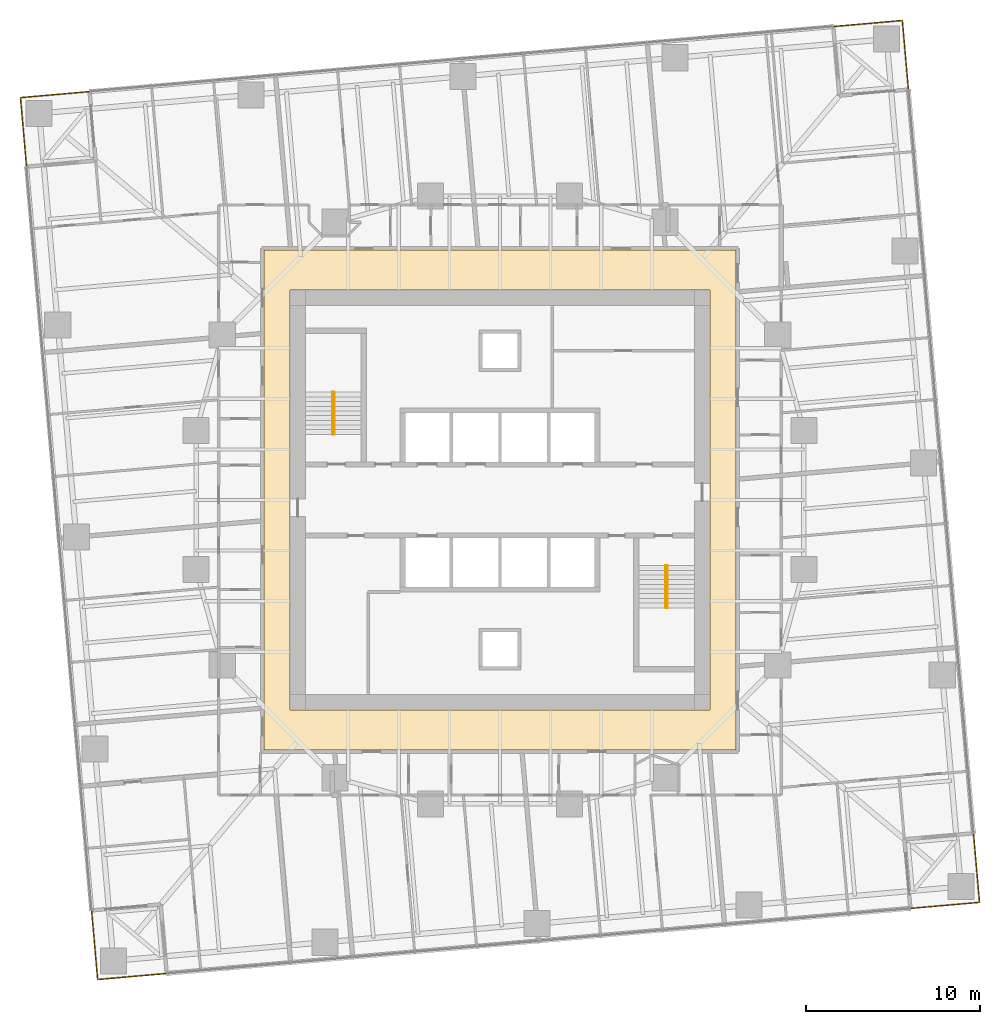
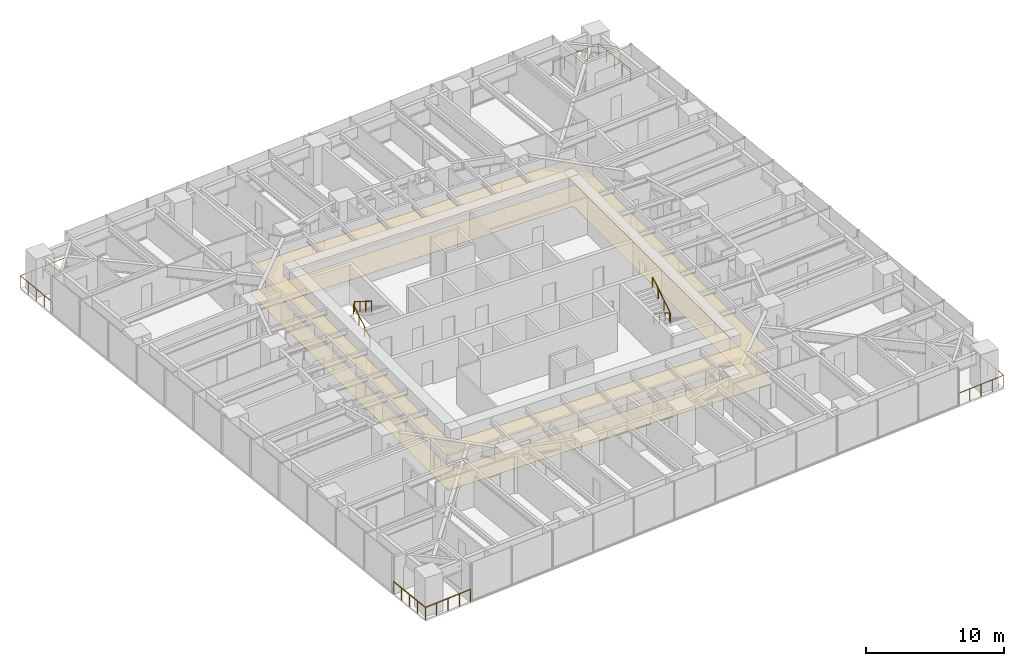
# One storey, part 14 of 14: 8 railings, 2 coverings, 2 elements without a shape of their own.
"""IFC4 building model written with IfcOpenShell, lengths in metres."""

from ifc_helpers import new_model, si_unit, direction, frame, origin, origin_2d, place, context, subcontext, project, spatial, polyline, circle, outline, extrude, material, layer, layer_set, type_object, element, aggregate, save


model = new_model("IFC4")

# Units and contexts
model_context = context("Model", 3, precision=1e-05, world=origin(), true_north=direction((0.0, 1.0)))
body_context = subcontext(model_context, "Body", "Model", "MODEL_VIEW")
ifc_project = project(units=[si_unit("LENGTHUNIT", "METRE"), si_unit("AREAUNIT", "SQUARE_METRE"), si_unit("VOLUMEUNIT", "CUBIC_METRE"), si_unit("PLANEANGLEUNIT", "RADIAN"), si_unit("MASSUNIT", "GRAM", prefix="KILO")], contexts=[model_context])

# Site, building, storey
site_placement = place(None, origin())
site = spatial("IfcSite", under=ifc_project, at=site_placement, CompositionType="ELEMENT")
building_placement = place(site_placement, origin())
building = spatial("IfcBuilding", under=site, at=building_placement, Name="Torsade Residences", CompositionType="ELEMENT")
storey_placement = place(building_placement, frame((0.0, 0.0, 64.199951171875)))
storey = spatial("IfcBuildingStorey", under=building, at=storey_placement, Name="L17", CompositionType="ELEMENT", Elevation=64.199951171875)

# Coverings
ifc_material_1 = material(Name="Nylon carpet tile on underlay", Category="textile")
ifc_layer_1 = layer(ifc_material_1, 0.010009765625)
ifc_layer_set_1 = layer_set([ifc_layer_1], Name="Nylon carpet tile on underlay")
covering_type_1 = type_object("IfcCoveringType", Name="CORRIDOR CARPET TILE 10", PredefinedType="FLOORING", material=ifc_layer_set_1)
covering_1_placement = place(storey_placement, origin())
element("IfcCovering", 1, at=covering_1_placement, inside=storey, type_object=covering_type_1, Name="Corridor carpet L17", PredefinedType="FLOORING", context=body_context, shape_type="SweptSolid", body=[
    extrude(outline(polyline([(53.60009765625, 15.60009765625), (53.60009765625, 44.39990234375), (26.39990234375, 44.39990234375), (26.39990234375, 15.60009765625), (53.60009765625, 15.60009765625)]), holes=[polyline([(52.10009765625, 42.10009765625), (27.89990234375, 42.10009765625), (27.89990234375, 17.89990234375), (52.10009765625, 17.89990234375), (52.10009765625, 42.10009765625)])]), origin(), (0.0, 0.0, 1.0), 0.010009765625),
])
ifc_material_2 = material(Name="Plasterboard on suspended steel grid", Category="steel")
ifc_layer_2 = layer(ifc_material_2, 0.012939453125)
ifc_layer_set_2 = layer_set([ifc_layer_2], Name="Plasterboard on suspended steel grid")
covering_type_2 = type_object("IfcCoveringType", Name="CORRIDOR SUSPENDED CEILING 13", PredefinedType="CEILING", material=ifc_layer_set_2)
covering_2_placement = place(storey_placement, frame((0.0, 0.0, 2.400146484375)))
element("IfcCovering", 2, at=covering_2_placement, inside=storey, type_object=covering_type_2, Name="Corridor ceiling L17", PredefinedType="CEILING", context=body_context, shape_type="SweptSolid", body=[
    extrude(outline(polyline([(53.60009765625, 15.60009765625), (53.60009765625, 44.39990234375), (26.39990234375, 44.39990234375), (26.39990234375, 15.60009765625), (53.60009765625, 15.60009765625)]), holes=[polyline([(52.10009765625, 42.10009765625), (27.89990234375, 42.10009765625), (27.89990234375, 17.89990234375), (52.10009765625, 17.89990234375), (52.10009765625, 42.10009765625)])]), origin(), (0.0, 0.0, 1.0), 0.012939453125),
])

# Stair, railings
ifc_material_3 = material(Name="Precast concrete 40 MPa", Category="concrete")
stair_type = type_object("IfcStairType", Name="HALF-TURN FIRE STAIR 1500x3400", PredefinedType="HALF_TURN_STAIR", material=ifc_material_3)
stair_1_placement = place(storey_placement, origin())
stair_1 = element("IfcStair", 3, at=stair_1_placement, inside=storey, type_object=stair_type, Name="Stair ST1 L17", PredefinedType="HALF_TURN_STAIR")
ifc_material_4 = material(Name="Steel handrail", Category="steel")
railing_type_1 = type_object("IfcRailingType", Name="STAIR HANDRAIL 900", PredefinedType="HANDRAIL", material=ifc_material_4)
railing_1_placement = place(storey_placement, frame((30.35009765625, 33.780029296875, 0.170166015625)))
railing_1 = element("IfcRailing", 4, at=railing_1_placement, type_object=railing_type_1, Name="Handrail ST1 flight 1 L17", PredefinedType="HANDRAIL", context=body_context, shape_type="SweptSolid", body=[
    extrude(circle(Radius=0.02392578125, at=origin_2d()), frame((0.0, 0.0, 0.8759765625), z_axis=(0.0, 0.846259816676, 0.532770422113), x_axis=(-1.0, 0.0, 0.0)), (0.0, 0.0, 1.0), 2.871337890625),
    extrude(circle(Radius=0.02099609375, at=origin_2d()), origin(), (0.0, 0.0, 1.0), 0.851806640625),
    extrude(circle(Radius=0.02099609375, at=origin_2d()), frame((0.0, 0.81005859375, 0.510009765625)), (0.0, 0.0, 1.0), 0.851806640625),
    extrude(circle(Radius=0.02099609375, at=origin_2d()), frame((0.0, 1.619873046875, 1.019775390625)), (0.0, 0.0, 1.0), 0.851806640625),
    extrude(circle(Radius=0.02099609375, at=origin_2d()), frame((0.0, 2.429931640625, 1.52978515625)), (0.0, 0.0, 1.0), 0.851806640625),
])
railing_2_placement = place(storey_placement, frame((30.449951171875, 36.2099609375, 1.8701171875)))
railing_2 = element("IfcRailing", 5, at=railing_2_placement, type_object=railing_type_1, Name="Handrail ST1 flight 2 L17", PredefinedType="HANDRAIL", context=body_context, shape_type="SweptSolid", body=[
    extrude(circle(Radius=0.02392578125, at=origin_2d()), frame((0.0, 0.0, 0.8759765625), z_axis=(0.0, -0.846221481393, 0.532831309544), x_axis=(1.0, 0.0, 0.0)), (0.0, 0.0, 1.0), 2.87158203125),
    extrude(circle(Radius=0.02099609375, at=origin_2d()), origin(), (0.0, 0.0, 1.0), 0.851806640625),
    extrude(circle(Radius=0.02099609375, at=origin_2d()), frame((0.0, -0.81005859375, 0.510009765625)), (0.0, 0.0, 1.0), 0.851806640625),
    extrude(circle(Radius=0.02099609375, at=origin_2d()), frame((0.0, -1.619873046875, 1.02001953125)), (0.0, 0.0, 1.0), 0.851806640625),
    extrude(circle(Radius=0.02099609375, at=origin_2d()), frame((0.0, -2.429931640625, 1.530029296875)), (0.0, 0.0, 1.0), 0.851806640625),
])
aggregate(stair_1, [railing_1, railing_2])

stair_2_placement = place(storey_placement, origin())
stair_2 = element("IfcStair", 6, at=stair_2_placement, inside=storey, type_object=stair_type, Name="Stair ST2 L17", PredefinedType="HALF_TURN_STAIR")
railing_3_placement = place(storey_placement, frame((49.64990234375, 26.219970703125, 0.170166015625)))
railing_3 = element("IfcRailing", 7, at=railing_3_placement, type_object=railing_type_1, Name="Handrail ST2 flight 1 L17", PredefinedType="HANDRAIL", context=body_context, shape_type="SweptSolid", body=[
    extrude(circle(Radius=0.02392578125, at=origin_2d()), frame((0.0, 0.0, 0.8759765625), z_axis=(0.0, -0.846259816676, 0.532770422113), x_axis=(1.0, 0.0, 0.0)), (0.0, 0.0, 1.0), 2.871337890625),
    extrude(circle(Radius=0.02099609375, at=origin_2d()), origin(), (0.0, 0.0, 1.0), 0.851806640625),
    extrude(circle(Radius=0.02099609375, at=origin_2d()), frame((0.0, -0.81005859375, 0.510009765625)), (0.0, 0.0, 1.0), 0.851806640625),
    extrude(circle(Radius=0.02099609375, at=origin_2d()), frame((0.0, -1.619873046875, 1.019775390625)), (0.0, 0.0, 1.0), 0.851806640625),
    extrude(circle(Radius=0.02099609375, at=origin_2d()), frame((0.0, -2.429931640625, 1.52978515625)), (0.0, 0.0, 1.0), 0.851806640625),
])
railing_4_placement = place(storey_placement, frame((49.550048828125, 23.7900390625, 1.8701171875)))
railing_4 = element("IfcRailing", 8, at=railing_4_placement, type_object=railing_type_1, Name="Handrail ST2 flight 2 L17", PredefinedType="HANDRAIL", context=body_context, shape_type="SweptSolid", body=[
    extrude(circle(Radius=0.02392578125, at=origin_2d()), frame((0.0, 0.0, 0.8759765625), z_axis=(0.0, 0.846221481393, 0.532831309544), x_axis=(-1.0, 0.0, 0.0)), (0.0, 0.0, 1.0), 2.87158203125),
    extrude(circle(Radius=0.02099609375, at=origin_2d()), origin(), (0.0, 0.0, 1.0), 0.851806640625),
    extrude(circle(Radius=0.02099609375, at=origin_2d()), frame((0.0, 0.81005859375, 0.510009765625)), (0.0, 0.0, 1.0), 0.851806640625),
    extrude(circle(Radius=0.02099609375, at=origin_2d()), frame((0.0, 1.619873046875, 1.02001953125)), (0.0, 0.0, 1.0), 0.851806640625),
    extrude(circle(Radius=0.02099609375, at=origin_2d()), frame((0.0, 2.429931640625, 1.530029296875)), (0.0, 0.0, 1.0), 0.851806640625),
])
aggregate(stair_2, [railing_3, railing_4])

# Railings
ifc_material_5 = material(Name="Laminated glass balustrade", Category="glass")
railing_type_2 = type_object("IfcRailingType", Name="TERRACE GLASS BALUSTRADE 1100", PredefinedType="BALUSTRADE", material=ifc_material_5)
railing_5_placement = place(storey_placement, frame((63.640625, 6.470947265625, 0.0)))
element("IfcRailing", 9, at=railing_5_placement, inside=storey, type_object=railing_type_2, Name="Terrace balustrade SE L17", PredefinedType="BALUSTRADE", context=body_context, shape_type="SweptSolid", body=[
    extrude(circle(Radius=0.02392578125, at=origin_2d()), frame((0.0, 0.0, 1.076171875), z_axis=(0.99619464492, 0.087156350505, 0.0), x_axis=(-0.087156350505, 0.99619464492, 0.0)), (0.0, 0.0, 1.0), 4.0),
    extrude(circle(Radius=0.02392578125, at=origin_2d()), frame((3.98486328125, 0.3486328125, 1.076171875), z_axis=(-0.087161650072, 0.99619418125, 0.0), x_axis=(-0.99619418125, -0.087161650072, 0.0)), (0.0, 0.0, 1.0), 3.999755859375),
    extrude(circle(Radius=0.02099609375, at=origin_2d()), origin(), (0.0, 0.0, 1.0), 1.052001953125),
    extrude(circle(Radius=0.02099609375, at=origin_2d()), frame((0.99609375, 0.087158203125, 0.0)), (0.0, 0.0, 1.0), 1.052001953125),
    extrude(circle(Radius=0.02099609375, at=origin_2d()), frame((1.992431640625, 0.17431640625, 0.0)), (0.0, 0.0, 1.0), 1.052001953125),
    extrude(circle(Radius=0.02099609375, at=origin_2d()), frame((2.98876953125, 0.261474609375, 0.0)), (0.0, 0.0, 1.0), 1.052001953125),
    extrude(circle(Radius=0.02099609375, at=origin_2d()), frame((3.98486328125, 0.3486328125, 0.0)), (0.0, 0.0, 1.0), 1.052001953125),
    extrude(circle(Radius=0.02099609375, at=origin_2d()), frame((3.897705078125, 1.3447265625, 0.0)), (0.0, 0.0, 1.0), 1.052001953125),
    extrude(circle(Radius=0.02099609375, at=origin_2d()), frame((3.810546875, 2.3408203125, 0.0)), (0.0, 0.0, 1.0), 1.052001953125),
    extrude(circle(Radius=0.02099609375, at=origin_2d()), frame((3.723388671875, 3.337158203125, 0.0)), (0.0, 0.0, 1.0), 1.052001953125),
    extrude(circle(Radius=0.02099609375, at=origin_2d()), frame((3.63623046875, 4.333251953125, 0.0)), (0.0, 0.0, 1.0), 1.052001953125),
])
railing_6_placement = place(storey_placement, frame((63.529052734375, 53.640625, 0.0)))
element("IfcRailing", 10, at=railing_6_placement, inside=storey, type_object=railing_type_2, Name="Terrace balustrade NE L17", PredefinedType="BALUSTRADE", context=body_context, shape_type="SweptSolid", body=[
    extrude(circle(Radius=0.02392578125, at=origin_2d()), frame((0.0, 0.0, 1.076171875), z_axis=(-0.087156350505, 0.99619464492, 0.0), x_axis=(-0.99619464492, -0.087156350505, 0.0)), (0.0, 0.0, 1.0), 4.0),
    extrude(circle(Radius=0.02392578125, at=origin_2d()), frame((-0.3486328125, 3.98486328125, 1.076171875), z_axis=(-0.99619418125, -0.087161650072, 0.0), x_axis=(0.087161650072, -0.99619418125, 0.0)), (0.0, 0.0, 1.0), 3.999755859375),
    extrude(circle(Radius=0.02099609375, at=origin_2d()), origin(), (0.0, 0.0, 1.0), 1.052001953125),
    extrude(circle(Radius=0.02099609375, at=origin_2d()), frame((-0.087158203125, 0.99609375, 0.0)), (0.0, 0.0, 1.0), 1.052001953125),
    extrude(circle(Radius=0.02099609375, at=origin_2d()), frame((-0.17431640625, 1.992431640625, 0.0)), (0.0, 0.0, 1.0), 1.052001953125),
    extrude(circle(Radius=0.02099609375, at=origin_2d()), frame((-0.261474609375, 2.98876953125, 0.0)), (0.0, 0.0, 1.0), 1.052001953125),
    extrude(circle(Radius=0.02099609375, at=origin_2d()), frame((-0.3486328125, 3.98486328125, 0.0)), (0.0, 0.0, 1.0), 1.052001953125),
    extrude(circle(Radius=0.02099609375, at=origin_2d()), frame((-1.3447265625, 3.897705078125, 0.0)), (0.0, 0.0, 1.0), 1.052001953125),
    extrude(circle(Radius=0.02099609375, at=origin_2d()), frame((-2.3408203125, 3.810546875, 0.0)), (0.0, 0.0, 1.0), 1.052001953125),
    extrude(circle(Radius=0.02099609375, at=origin_2d()), frame((-3.337158203125, 3.723388671875, 0.0)), (0.0, 0.0, 1.0), 1.052001953125),
    extrude(circle(Radius=0.02099609375, at=origin_2d()), frame((-4.333251953125, 3.63623046875, 0.0)), (0.0, 0.0, 1.0), 1.052001953125),
])
railing_7_placement = place(storey_placement, frame((16.359375, 53.529052734375, 0.0)))
element("IfcRailing", 11, at=railing_7_placement, inside=storey, type_object=railing_type_2, Name="Terrace balustrade NW L17", PredefinedType="BALUSTRADE", context=body_context, shape_type="SweptSolid", body=[
    extrude(circle(Radius=0.02392578125, at=origin_2d()), frame((0.0, 0.0, 1.076171875), z_axis=(-0.99619464492, -0.087156350505, 0.0), x_axis=(0.087156350505, -0.99619464492, 0.0)), (0.0, 0.0, 1.0), 4.0),
    extrude(circle(Radius=0.02392578125, at=origin_2d()), frame((-3.98486328125, -0.3486328125, 1.076171875), z_axis=(0.087161650072, -0.99619418125, 0.0), x_axis=(0.99619418125, 0.087161650072, 0.0)), (0.0, 0.0, 1.0), 3.999755859375),
    extrude(circle(Radius=0.02099609375, at=origin_2d()), origin(), (0.0, 0.0, 1.0), 1.052001953125),
    extrude(circle(Radius=0.02099609375, at=origin_2d()), frame((-0.99609375, -0.087158203125, 0.0)), (0.0, 0.0, 1.0), 1.052001953125),
    extrude(circle(Radius=0.02099609375, at=origin_2d()), frame((-1.992431640625, -0.17431640625, 0.0)), (0.0, 0.0, 1.0), 1.052001953125),
    extrude(circle(Radius=0.02099609375, at=origin_2d()), frame((-2.98876953125, -0.261474609375, 0.0)), (0.0, 0.0, 1.0), 1.052001953125),
    extrude(circle(Radius=0.02099609375, at=origin_2d()), frame((-3.98486328125, -0.3486328125, 0.0)), (0.0, 0.0, 1.0), 1.052001953125),
    extrude(circle(Radius=0.02099609375, at=origin_2d()), frame((-3.897705078125, -1.3447265625, 0.0)), (0.0, 0.0, 1.0), 1.052001953125),
    extrude(circle(Radius=0.02099609375, at=origin_2d()), frame((-3.810546875, -2.3408203125, 0.0)), (0.0, 0.0, 1.0), 1.052001953125),
    extrude(circle(Radius=0.02099609375, at=origin_2d()), frame((-3.723388671875, -3.337158203125, 0.0)), (0.0, 0.0, 1.0), 1.052001953125),
    extrude(circle(Radius=0.02099609375, at=origin_2d()), frame((-3.63623046875, -4.333251953125, 0.0)), (0.0, 0.0, 1.0), 1.052001953125),
])
railing_8_placement = place(storey_placement, frame((16.470947265625, 6.359375, 0.0)))
element("IfcRailing", 12, at=railing_8_placement, inside=storey, type_object=railing_type_2, Name="Terrace balustrade SW L17", PredefinedType="BALUSTRADE", context=body_context, shape_type="SweptSolid", body=[
    extrude(circle(Radius=0.02392578125, at=origin_2d()), frame((0.0, 0.0, 1.076171875), z_axis=(0.087156350505, -0.99619464492, 0.0), x_axis=(0.99619464492, 0.087156350505, 0.0)), (0.0, 0.0, 1.0), 4.0),
    extrude(circle(Radius=0.02392578125, at=origin_2d()), frame((0.3486328125, -3.98486328125, 1.076171875), z_axis=(0.99619418125, 0.087161650072, 0.0), x_axis=(-0.087161650072, 0.99619418125, 0.0)), (0.0, 0.0, 1.0), 3.999755859375),
    extrude(circle(Radius=0.02099609375, at=origin_2d()), origin(), (0.0, 0.0, 1.0), 1.052001953125),
    extrude(circle(Radius=0.02099609375, at=origin_2d()), frame((0.087158203125, -0.99609375, 0.0)), (0.0, 0.0, 1.0), 1.052001953125),
    extrude(circle(Radius=0.02099609375, at=origin_2d()), frame((0.17431640625, -1.992431640625, 0.0)), (0.0, 0.0, 1.0), 1.052001953125),
    extrude(circle(Radius=0.02099609375, at=origin_2d()), frame((0.261474609375, -2.98876953125, 0.0)), (0.0, 0.0, 1.0), 1.052001953125),
    extrude(circle(Radius=0.02099609375, at=origin_2d()), frame((0.3486328125, -3.98486328125, 0.0)), (0.0, 0.0, 1.0), 1.052001953125),
    extrude(circle(Radius=0.02099609375, at=origin_2d()), frame((1.3447265625, -3.897705078125, 0.0)), (0.0, 0.0, 1.0), 1.052001953125),
    extrude(circle(Radius=0.02099609375, at=origin_2d()), frame((2.3408203125, -3.810546875, 0.0)), (0.0, 0.0, 1.0), 1.052001953125),
    extrude(circle(Radius=0.02099609375, at=origin_2d()), frame((3.337158203125, -3.723388671875, 0.0)), (0.0, 0.0, 1.0), 1.052001953125),
    extrude(circle(Radius=0.02099609375, at=origin_2d()), frame((4.333251953125, -3.63623046875, 0.0)), (0.0, 0.0, 1.0), 1.052001953125),
])

save(model, "model.ifc")
